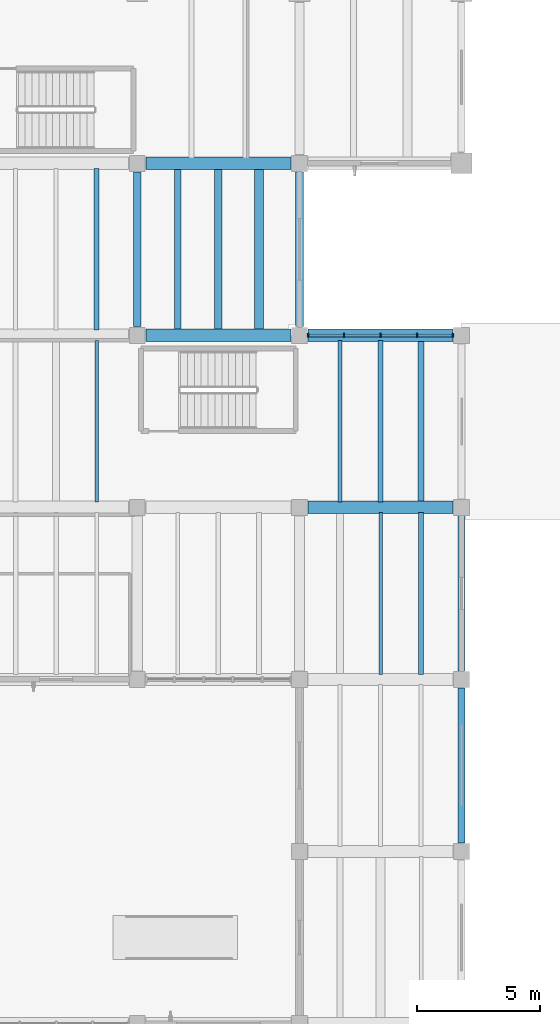
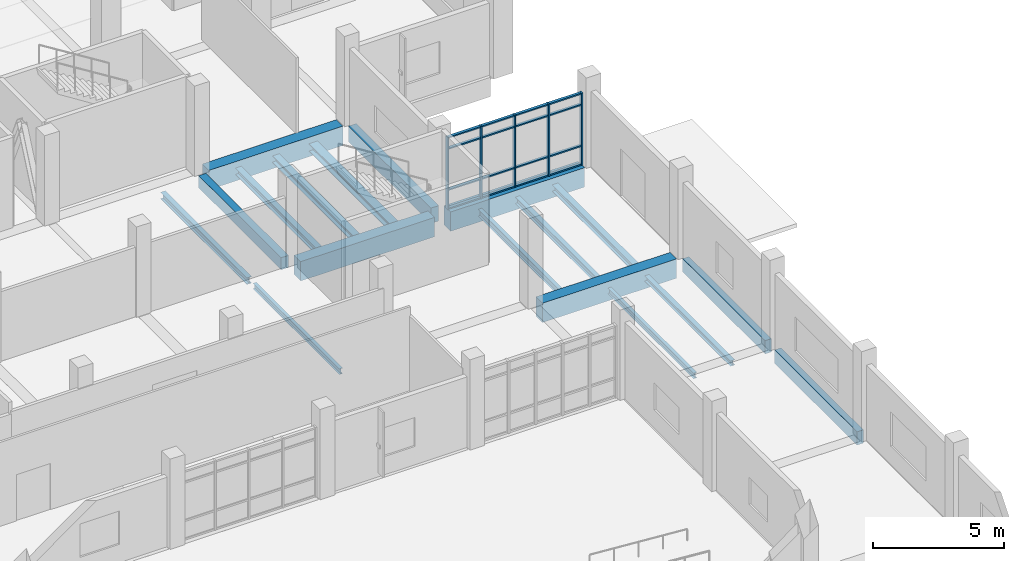
# One storey, part 27 of 69: 21 members, 18 beams, 1 element without a shape of its own.
"""IFC4 building model written with IfcOpenShell, lengths in metres."""

from ifc_helpers import new_model, si_unit, direction, frame, origin, origin_2d, place, context, subcontext, project, spatial, rectangle, i_section, extrude, material, material_profile, profile_set, type_object, element, aggregate, save


model = new_model("IFC4")

# Units and contexts
model_context = context("Model", 3, precision=1e-05, world=origin(), true_north=direction((0.0, 1.0)))
body_context = subcontext(model_context, "Body", "Model", "MODEL_VIEW")
ifc_project = project(units=[si_unit("LENGTHUNIT", "METRE"), si_unit("AREAUNIT", "SQUARE_METRE"), si_unit("VOLUMEUNIT", "CUBIC_METRE"), si_unit("PLANEANGLEUNIT", "RADIAN"), si_unit("MASSUNIT", "GRAM", prefix="KILO")], contexts=[model_context])

# Site, building, storey
site_placement = place(None, origin())
site = spatial("IfcSite", under=ifc_project, at=site_placement, CompositionType="ELEMENT")
building_placement = place(site_placement, origin())
building = spatial("IfcBuilding", under=site, at=building_placement, Name="Ciguamira Faculty of Natural Sciences", CompositionType="ELEMENT")
storey_placement = place(building_placement, origin())
storey = spatial("IfcBuildingStorey", under=building, at=storey_placement, Name="L00", CompositionType="ELEMENT", Elevation=0.0)

# Curtain wall, members
ifc_material_1 = material(Name="Anodized aluminium curtain wall", Category="aluminium")
curtain_wall_type = type_object("IfcCurtainWallType", Name="CurtainWall_CW-04", PredefinedType="USERDEFINED", material=ifc_material_1)
curtain_wall_placement = place(storey_placement, origin())
curtain_wall = element("IfcCurtainWall", 1, at=curtain_wall_placement, inside=storey, type_object=curtain_wall_type, Name="L00 unitised curtain wall 0016", ObjectType="UNITISED CURTAIN WALL", PredefinedType="USERDEFINED")
ifc_material_2 = material(Name="Anodized aluminium mullion", Category="aluminium")
ifc_material_profile_1 = material_profile(ifc_material_2, rectangle(XDim=0.06005859375, YDim=0.159912109375, at=origin_2d()), Name="ALU-MUL-60X160")
ifc_profile_set_1 = profile_set([ifc_material_profile_1], Name="Anodized aluminium mullion")
member_type_1 = type_object("IfcMemberType", Name="CWMullion_CWM-01", PredefinedType="MULLION", material=ifc_profile_set_1)
member_1_placement = place(storey_placement, frame((110.455078125, 87.0, 0.0), z_axis=(0.0, 0.0, 1.0), x_axis=(1.0, 0.0, 0.0)))
member_1 = element("IfcMember", 2, at=member_1_placement, type_object=member_type_1, Name="CW-04 mullion 1", PredefinedType="MULLION", context=body_context, shape_type="SweptSolid", body=[
    extrude(rectangle(XDim=0.06005859375, YDim=0.159912109375, at=origin_2d()), origin(), (0.0, 0.0, 1.0), 3.364990234375),
])
member_2_placement = place(storey_placement, frame((111.91259765625, 87.0, 0.0), z_axis=(0.0, 0.0, 1.0), x_axis=(1.0, 0.0, 0.0)))
member_2 = element("IfcMember", 3, at=member_2_placement, type_object=member_type_1, Name="CW-04 mullion 2", PredefinedType="MULLION", context=body_context, shape_type="SweptSolid", body=[
    extrude(rectangle(XDim=0.06005859375, YDim=0.159912109375, at=origin_2d()), origin(), (0.0, 0.0, 1.0), 3.364990234375),
])
member_3_placement = place(storey_placement, frame((113.39990234375, 87.0, 0.0), z_axis=(0.0, 0.0, 1.0), x_axis=(1.0, 0.0, 0.0)))
member_3 = element("IfcMember", 4, at=member_3_placement, type_object=member_type_1, Name="CW-04 mullion 3", PredefinedType="MULLION", context=body_context, shape_type="SweptSolid", body=[
    extrude(rectangle(XDim=0.06005859375, YDim=0.159912109375, at=origin_2d()), origin(), (0.0, 0.0, 1.0), 3.364990234375),
])
member_4_placement = place(storey_placement, frame((114.887451171875, 87.0, 0.0), z_axis=(0.0, 0.0, 1.0), x_axis=(1.0, 0.0, 0.0)))
member_4 = element("IfcMember", 5, at=member_4_placement, type_object=member_type_1, Name="CW-04 mullion 4", PredefinedType="MULLION", context=body_context, shape_type="SweptSolid", body=[
    extrude(rectangle(XDim=0.06005859375, YDim=0.159912109375, at=origin_2d()), origin(), (0.0, 0.0, 1.0), 3.364990234375),
])
member_5_placement = place(storey_placement, frame((116.344970703125, 87.0, 0.0), z_axis=(0.0, 0.0, 1.0), x_axis=(1.0, 0.0, 0.0)))
member_5 = element("IfcMember", 6, at=member_5_placement, type_object=member_type_1, Name="CW-04 mullion 5", PredefinedType="MULLION", context=body_context, shape_type="SweptSolid", body=[
    extrude(rectangle(XDim=0.06005859375, YDim=0.159912109375, at=origin_2d()), origin(), (0.0, 0.0, 1.0), 3.364990234375),
])
ifc_material_3 = material(Name="Anodized aluminium transom", Category="aluminium")
ifc_material_profile_2 = material_profile(ifc_material_3, rectangle(XDim=0.06005859375, YDim=0.1201171875, at=origin_2d()), Name="ALU-TRN-60X120")
ifc_profile_set_2 = profile_set([ifc_material_profile_2], Name="Anodized aluminium transom")
member_type_2 = type_object("IfcMemberType", Name="CWTransom_CWT-01", PredefinedType="USERDEFINED", material=ifc_profile_set_2)
member_6_placement = place(storey_placement, frame((110.485107421875, 87.0, 0.030029296875), z_axis=(1.0, 0.0, 0.0), x_axis=(0.0, 0.0, 1.0)))
member_6 = element("IfcMember", 7, at=member_6_placement, type_object=member_type_2, Name="CW-04 transom 1.1", ObjectType="TRANSOM", PredefinedType="USERDEFINED", context=body_context, shape_type="SweptSolid", body=[
    extrude(rectangle(XDim=0.06005859375, YDim=0.1201171875, at=origin_2d()), origin(), (0.0, 0.0, 1.0), 1.3974609375),
])
member_7_placement = place(storey_placement, frame((110.485107421875, 87.0, 0.89990234375), z_axis=(1.0, 0.0, 0.0), x_axis=(0.0, 0.0, 1.0)))
member_7 = element("IfcMember", 8, at=member_7_placement, type_object=member_type_2, Name="CW-04 transom 1.2", ObjectType="TRANSOM", PredefinedType="USERDEFINED", context=body_context, shape_type="SweptSolid", body=[
    extrude(rectangle(XDim=0.06005859375, YDim=0.1201171875, at=origin_2d()), origin(), (0.0, 0.0, 1.0), 1.3974609375),
])
member_8_placement = place(storey_placement, frame((110.485107421875, 87.0, 2.81494140625), z_axis=(1.0, 0.0, 0.0), x_axis=(0.0, 0.0, 1.0)))
member_8 = element("IfcMember", 9, at=member_8_placement, type_object=member_type_2, Name="CW-04 transom 1.3", ObjectType="TRANSOM", PredefinedType="USERDEFINED", context=body_context, shape_type="SweptSolid", body=[
    extrude(rectangle(XDim=0.06005859375, YDim=0.1201171875, at=origin_2d()), origin(), (0.0, 0.0, 1.0), 1.3974609375),
])
member_9_placement = place(storey_placement, frame((110.485107421875, 87.0, 3.3349609375), z_axis=(1.0, 0.0, 0.0), x_axis=(0.0, 0.0, 1.0)))
member_9 = element("IfcMember", 10, at=member_9_placement, type_object=member_type_2, Name="CW-04 transom 1.4", ObjectType="TRANSOM", PredefinedType="USERDEFINED", context=body_context, shape_type="SweptSolid", body=[
    extrude(rectangle(XDim=0.06005859375, YDim=0.1201171875, at=origin_2d()), origin(), (0.0, 0.0, 1.0), 1.3974609375),
])
member_10_placement = place(storey_placement, frame((111.9423828125, 87.0, 0.030029296875), z_axis=(1.0, 0.0, 0.0), x_axis=(0.0, 0.0, 1.0)))
member_10 = element("IfcMember", 11, at=member_10_placement, type_object=member_type_2, Name="CW-04 transom 2.1", ObjectType="TRANSOM", PredefinedType="USERDEFINED", context=body_context, shape_type="SweptSolid", body=[
    extrude(rectangle(XDim=0.06005859375, YDim=0.1201171875, at=origin_2d()), origin(), (0.0, 0.0, 1.0), 1.427734375),
])
member_11_placement = place(storey_placement, frame((111.9423828125, 87.0, 0.89990234375), z_axis=(1.0, 0.0, 0.0), x_axis=(0.0, 0.0, 1.0)))
member_11 = element("IfcMember", 12, at=member_11_placement, type_object=member_type_2, Name="CW-04 transom 2.2", ObjectType="TRANSOM", PredefinedType="USERDEFINED", context=body_context, shape_type="SweptSolid", body=[
    extrude(rectangle(XDim=0.06005859375, YDim=0.1201171875, at=origin_2d()), origin(), (0.0, 0.0, 1.0), 1.427734375),
])
member_12_placement = place(storey_placement, frame((111.9423828125, 87.0, 2.81494140625), z_axis=(1.0, 0.0, 0.0), x_axis=(0.0, 0.0, 1.0)))
member_12 = element("IfcMember", 13, at=member_12_placement, type_object=member_type_2, Name="CW-04 transom 2.3", ObjectType="TRANSOM", PredefinedType="USERDEFINED", context=body_context, shape_type="SweptSolid", body=[
    extrude(rectangle(XDim=0.06005859375, YDim=0.1201171875, at=origin_2d()), origin(), (0.0, 0.0, 1.0), 1.427734375),
])
member_13_placement = place(storey_placement, frame((111.9423828125, 87.0, 3.3349609375), z_axis=(1.0, 0.0, 0.0), x_axis=(0.0, 0.0, 1.0)))
member_13 = element("IfcMember", 14, at=member_13_placement, type_object=member_type_2, Name="CW-04 transom 2.4", ObjectType="TRANSOM", PredefinedType="USERDEFINED", context=body_context, shape_type="SweptSolid", body=[
    extrude(rectangle(XDim=0.06005859375, YDim=0.1201171875, at=origin_2d()), origin(), (0.0, 0.0, 1.0), 1.427734375),
])
member_14_placement = place(storey_placement, frame((113.429931640625, 87.0, 0.030029296875), z_axis=(1.0, 0.0, 0.0), x_axis=(0.0, 0.0, 1.0)))
member_14 = element("IfcMember", 15, at=member_14_placement, type_object=member_type_2, Name="CW-04 transom 3.1", ObjectType="TRANSOM", PredefinedType="USERDEFINED", context=body_context, shape_type="SweptSolid", body=[
    extrude(rectangle(XDim=0.06005859375, YDim=0.1201171875, at=origin_2d()), origin(), (0.0, 0.0, 1.0), 1.427490234375),
])
member_15_placement = place(storey_placement, frame((113.429931640625, 87.0, 0.89990234375), z_axis=(1.0, 0.0, 0.0), x_axis=(0.0, 0.0, 1.0)))
member_15 = element("IfcMember", 16, at=member_15_placement, type_object=member_type_2, Name="CW-04 transom 3.2", ObjectType="TRANSOM", PredefinedType="USERDEFINED", context=body_context, shape_type="SweptSolid", body=[
    extrude(rectangle(XDim=0.06005859375, YDim=0.1201171875, at=origin_2d()), origin(), (0.0, 0.0, 1.0), 1.427490234375),
])
member_16_placement = place(storey_placement, frame((113.429931640625, 87.0, 2.81494140625), z_axis=(1.0, 0.0, 0.0), x_axis=(0.0, 0.0, 1.0)))
member_16 = element("IfcMember", 17, at=member_16_placement, type_object=member_type_2, Name="CW-04 transom 3.3", ObjectType="TRANSOM", PredefinedType="USERDEFINED", context=body_context, shape_type="SweptSolid", body=[
    extrude(rectangle(XDim=0.06005859375, YDim=0.1201171875, at=origin_2d()), origin(), (0.0, 0.0, 1.0), 1.427490234375),
])
member_17_placement = place(storey_placement, frame((113.429931640625, 87.0, 3.3349609375), z_axis=(1.0, 0.0, 0.0), x_axis=(0.0, 0.0, 1.0)))
member_17 = element("IfcMember", 18, at=member_17_placement, type_object=member_type_2, Name="CW-04 transom 3.4", ObjectType="TRANSOM", PredefinedType="USERDEFINED", context=body_context, shape_type="SweptSolid", body=[
    extrude(rectangle(XDim=0.06005859375, YDim=0.1201171875, at=origin_2d()), origin(), (0.0, 0.0, 1.0), 1.427490234375),
])
member_18_placement = place(storey_placement, frame((114.91748046875, 87.0, 0.030029296875), z_axis=(1.0, 0.0, 0.0), x_axis=(0.0, 0.0, 1.0)))
member_18 = element("IfcMember", 19, at=member_18_placement, type_object=member_type_2, Name="CW-04 transom 4.1", ObjectType="TRANSOM", PredefinedType="USERDEFINED", context=body_context, shape_type="SweptSolid", body=[
    extrude(rectangle(XDim=0.06005859375, YDim=0.1201171875, at=origin_2d()), origin(), (0.0, 0.0, 1.0), 1.3974609375),
])
member_19_placement = place(storey_placement, frame((114.91748046875, 87.0, 0.89990234375), z_axis=(1.0, 0.0, 0.0), x_axis=(0.0, 0.0, 1.0)))
member_19 = element("IfcMember", 20, at=member_19_placement, type_object=member_type_2, Name="CW-04 transom 4.2", ObjectType="TRANSOM", PredefinedType="USERDEFINED", context=body_context, shape_type="SweptSolid", body=[
    extrude(rectangle(XDim=0.06005859375, YDim=0.1201171875, at=origin_2d()), origin(), (0.0, 0.0, 1.0), 1.3974609375),
])
member_20_placement = place(storey_placement, frame((114.91748046875, 87.0, 2.81494140625), z_axis=(1.0, 0.0, 0.0), x_axis=(0.0, 0.0, 1.0)))
member_20 = element("IfcMember", 21, at=member_20_placement, type_object=member_type_2, Name="CW-04 transom 4.3", ObjectType="TRANSOM", PredefinedType="USERDEFINED", context=body_context, shape_type="SweptSolid", body=[
    extrude(rectangle(XDim=0.06005859375, YDim=0.1201171875, at=origin_2d()), origin(), (0.0, 0.0, 1.0), 1.3974609375),
])
member_21_placement = place(storey_placement, frame((114.91748046875, 87.0, 3.3349609375), z_axis=(1.0, 0.0, 0.0), x_axis=(0.0, 0.0, 1.0)))
member_21 = element("IfcMember", 22, at=member_21_placement, type_object=member_type_2, Name="CW-04 transom 4.4", ObjectType="TRANSOM", PredefinedType="USERDEFINED", context=body_context, shape_type="SweptSolid", body=[
    extrude(rectangle(XDim=0.06005859375, YDim=0.1201171875, at=origin_2d()), origin(), (0.0, 0.0, 1.0), 1.3974609375),
])
aggregate(curtain_wall, [member_1, member_2, member_3, member_4, member_5, member_6, member_7, member_8, member_9, member_10, member_11, member_12, member_13, member_14, member_15, member_16, member_17, member_18, member_19, member_20, member_21])

# Beams
ifc_material_4 = material(Name="Concrete C40/50", Category="concrete")
ifc_material_profile_3 = material_profile(ifc_material_4, rectangle(XDim=0.5, YDim=0.89990234375, at=origin_2d()), Name="RC-BM-500X900")
ifc_profile_set_3 = profile_set([ifc_material_profile_3], Name="Concrete C40/50")
beam_type_1 = type_object("IfcBeamType", Name="RCBeam_BG-03_RC-BM-500X900", PredefinedType="BEAM", material=ifc_profile_set_3)
beam_1_placement = place(storey_placement, frame((110.449951171875, 80.0, -0.449951171875), z_axis=(1.0, 0.0, 0.0), x_axis=(0.0, 1.0, 0.0)))
element("IfcBeam", 23, at=beam_1_placement, inside=storey, type_object=beam_type_1, Name="L00 RC girder EW-0146", PredefinedType="BEAM", context=body_context, shape_type="SweptSolid", body=[
    extrude(rectangle(XDim=0.5, YDim=0.89990234375, at=origin_2d()), origin(), (0.0, 0.0, 1.0), 5.900146484375),
])
beam_2_placement = place(storey_placement, frame((103.85009765625, 87.0, -0.449951171875), z_axis=(1.0, 0.0, 0.0), x_axis=(0.0, 1.0, 0.0)))
element("IfcBeam", 24, at=beam_2_placement, inside=storey, type_object=beam_type_1, Name="L00 RC girder EW-0154", PredefinedType="BEAM", context=body_context, shape_type="SweptSolid", body=[
    extrude(rectangle(XDim=0.5, YDim=0.89990234375, at=origin_2d()), origin(), (0.0, 0.0, 1.0), 5.89990234375),
])
beam_3_placement = place(storey_placement, frame((110.449951171875, 87.0, -0.449951171875), z_axis=(1.0, 0.0, 0.0), x_axis=(0.0, 1.0, 0.0)))
element("IfcBeam", 25, at=beam_3_placement, inside=storey, type_object=beam_type_1, Name="L00 RC girder EW-0155", PredefinedType="BEAM", context=body_context, shape_type="SweptSolid", body=[
    extrude(rectangle(XDim=0.5, YDim=0.89990234375, at=origin_2d()), origin(), (0.0, 0.0, 1.0), 5.900146484375),
])
beam_4_placement = place(storey_placement, frame((103.85009765625, 94.0, -0.449951171875), z_axis=(1.0, 0.0, 0.0), x_axis=(0.0, 1.0, 0.0)))
element("IfcBeam", 26, at=beam_4_placement, inside=storey, type_object=beam_type_1, Name="L00 RC girder EW-0163", PredefinedType="BEAM", context=body_context, shape_type="SweptSolid", body=[
    extrude(rectangle(XDim=0.5, YDim=0.89990234375, at=origin_2d()), origin(), (0.0, 0.0, 1.0), 5.89990234375),
])
ifc_material_profile_4 = material_profile(ifc_material_4, rectangle(XDim=0.320068359375, YDim=0.56005859375, at=origin_2d()), Name="RC-BM-320X560")
ifc_profile_set_4 = profile_set([ifc_material_profile_4], Name="Concrete C40/50")
beam_type_2 = type_object("IfcBeamType", Name="RCBeam_BG-12_RC-BM-320X560", PredefinedType="BEAM", material=ifc_profile_set_4)
beam_5_placement = place(storey_placement, frame((103.5, 87.35009765625, -0.280029296875), z_axis=(0.0, 1.0, 0.0), x_axis=(-1.0, 0.0, 0.0)))
element("IfcBeam", 27, at=beam_5_placement, inside=storey, type_object=beam_type_2, Name="L00 girder NS-0308", PredefinedType="BEAM", context=body_context, shape_type="SweptSolid", body=[
    extrude(rectangle(XDim=0.320068359375, YDim=0.56005859375, at=origin_2d()), origin(), (0.0, 0.0, 1.0), 6.2998046875),
])
ifc_material_5 = material(Name="Precast concrete C40/50", Category="concrete")
ifc_material_profile_5 = material_profile(ifc_material_5, rectangle(XDim=0.280029296875, YDim=0.6201171875, at=origin_2d()), Name="RC-SP-280X620")
ifc_profile_set_5 = profile_set([ifc_material_profile_5], Name="Precast concrete C40/50")
beam_type_3 = type_object("IfcBeamType", Name="RCBeam_SP-01_RC-SP-280X620", PredefinedType="SPANDREL", material=ifc_profile_set_5)
for number, where, z_axis, x_axis, name in (
    (28, (116.699951171875, 66.35009765625, -0.31005859375), (0.0, 1.0, 0.0), (-1.0, 0.0, 0.0), "L00 girder NS-0332"),
    (29, (116.699951171875, 73.35009765625, -0.31005859375), (0.0, 1.0, 0.0), (-1.0, 0.0, 0.0), "L00 girder NS-0333"),
):
    element("IfcBeam", number, at=place(storey_placement, frame(where, z_axis=z_axis, x_axis=x_axis)), inside=storey, type_object=beam_type_3, Name=name, PredefinedType="SPANDREL", context=body_context, shape_type="SweptSolid", body=[
        extrude(rectangle(XDim=0.280029296875, YDim=0.6201171875, at=origin_2d()), origin(), (0.0, 0.0, 1.0), 6.2998046875),
    ])
ifc_material_profile_6 = material_profile(ifc_material_5, rectangle(XDim=0.340087890625, YDim=0.719970703125, at=origin_2d()), Name="RC-SP-340X720")
ifc_profile_set_6 = profile_set([ifc_material_profile_6], Name="Precast concrete C40/50")
beam_type_4 = type_object("IfcBeamType", Name="RCBeam_SP-03_RC-SP-340X720", PredefinedType="SPANDREL", material=ifc_profile_set_6)
beam_6_placement = place(storey_placement, frame((110.10009765625, 87.35009765625, -0.360107421875), z_axis=(0.0, 1.0, 0.0), x_axis=(-1.0, 0.0, 0.0)))
element("IfcBeam", 30, at=beam_6_placement, inside=storey, type_object=beam_type_4, Name="L00 girder NS-0321", PredefinedType="SPANDREL", context=body_context, shape_type="SweptSolid", body=[
    extrude(rectangle(XDim=0.340087890625, YDim=0.719970703125, at=origin_2d()), origin(), (0.0, 0.0, 1.0), 6.2998046875),
])
ifc_material_6 = material(Name="Steel ASTM A992 Grade 50", Category="steel")
ifc_material_profile_7 = material_profile(ifc_material_6, i_section(OverallWidth=0.14599609375, OverallDepth=0.259033203125, WebThickness=0.006103515625, FlangeThickness=0.009033203125, at=origin_2d()), Name="W10X22")
ifc_profile_set_7 = profile_set([ifc_material_profile_7], Name="Steel ASTM A992 Grade 50")
beam_type_5 = type_object("IfcBeamType", Name="SteelJoist_SJ-01_W10X22", PredefinedType="JOIST", material=ifc_profile_set_7)
for number, where, z_axis, x_axis, name in (
    (31, (101.85009765625, 80.2099609375, -0.429443359375), (0.0, 1.0, 0.0), (-1.0, 0.0, 0.0), "L00 composite steel joist 00240"),
    (32, (113.39990234375, 73.2099609375, -0.429443359375), (0.0, 1.0, 0.0), (-1.0, 0.0, 0.0), "L00 composite steel joist 00294"),
):
    element("IfcBeam", number, at=place(storey_placement, frame(where, z_axis=z_axis, x_axis=x_axis)), inside=storey, type_object=beam_type_5, Name=name, PredefinedType="JOIST", context=body_context, shape_type="SweptSolid", body=[
        extrude(i_section(OverallWidth=0.14599609375, OverallDepth=0.259033203125, WebThickness=0.006103515625, FlangeThickness=0.009033203125, at=origin_2d()), origin(), (0.0, 0.0, 1.0), 6.580078125),
    ])
ifc_material_profile_8 = material_profile(ifc_material_6, i_section(OverallWidth=0.2021484375, OverallDepth=0.2470703125, WebThickness=0.00732421875, FlangeThickness=0.010986328125, at=origin_2d()), Name="W10X33")
ifc_profile_set_8 = profile_set([ifc_material_profile_8], Name="Steel ASTM A992 Grade 50")
beam_type_6 = type_object("IfcBeamType", Name="SteelJoist_SJ-02_W10X33", PredefinedType="JOIST", material=ifc_profile_set_8)
beam_7_placement = place(storey_placement, frame((115.050048828125, 73.2099609375, -0.423583984375), z_axis=(0.0, 1.0, 0.0), x_axis=(-1.0, 0.0, 0.0)))
element("IfcBeam", 33, at=beam_7_placement, inside=storey, type_object=beam_type_6, Name="L00 composite steel joist 00295", PredefinedType="JOIST", context=body_context, shape_type="SweptSolid", body=[
    extrude(i_section(OverallWidth=0.2021484375, OverallDepth=0.2470703125, WebThickness=0.00732421875, FlangeThickness=0.010986328125, at=origin_2d()), origin(), (0.0, 0.0, 1.0), 6.580078125),
])
ifc_material_profile_9 = material_profile(ifc_material_6, i_section(OverallWidth=0.16650390625, OverallDepth=0.3173828125, WebThickness=0.007568359375, FlangeThickness=0.01318359375, at=origin_2d()), Name="W12X35")
ifc_profile_set_9 = profile_set([ifc_material_profile_9], Name="Steel ASTM A992 Grade 50")
beam_type_7 = type_object("IfcBeamType", Name="SteelJoist_SJ-05_W12X35", PredefinedType="JOIST", material=ifc_profile_set_9)
beam_8_placement = place(storey_placement, frame((111.75, 80.2099609375, -0.458740234375), z_axis=(0.0, 1.0, 0.0), x_axis=(-1.0, 0.0, 0.0)))
element("IfcBeam", 34, at=beam_8_placement, inside=storey, type_object=beam_type_7, Name="L00 composite steel joist 00296", PredefinedType="JOIST", context=body_context, shape_type="SweptSolid", body=[
    extrude(i_section(OverallWidth=0.16650390625, OverallDepth=0.3173828125, WebThickness=0.007568359375, FlangeThickness=0.01318359375, at=origin_2d()), origin(), (0.0, 0.0, 1.0), 6.580078125),
])
ifc_material_profile_10 = material_profile(ifc_material_6, i_section(OverallWidth=0.20458984375, OverallDepth=0.307373046875, WebThickness=0.008544921875, FlangeThickness=0.0146484375, at=origin_2d()), Name="W12X45")
ifc_profile_set_10 = profile_set([ifc_material_profile_10], Name="Steel ASTM A992 Grade 50")
beam_type_8 = type_object("IfcBeamType", Name="SteelJoist_SJ-06_W12X45", PredefinedType="JOIST", material=ifc_profile_set_10)
for number, where, z_axis, x_axis, name in (
    (35, (101.85009765625, 87.2099609375, -0.45361328125), (0.0, 1.0, 0.0), (-1.0, 0.0, 0.0), "L00 composite steel joist 00243"),
    (36, (113.39990234375, 80.2099609375, -0.45361328125), (0.0, 1.0, 0.0), (-1.0, 0.0, 0.0), "L00 composite steel joist 00297"),
):
    element("IfcBeam", number, at=place(storey_placement, frame(where, z_axis=z_axis, x_axis=x_axis)), inside=storey, type_object=beam_type_8, Name=name, PredefinedType="JOIST", context=body_context, shape_type="SweptSolid", body=[
        extrude(i_section(OverallWidth=0.20458984375, OverallDepth=0.307373046875, WebThickness=0.008544921875, FlangeThickness=0.0146484375, at=origin_2d()), origin(), (0.0, 0.0, 1.0), 6.580078125),
    ])
ifc_material_profile_11 = material_profile(ifc_material_6, i_section(OverallWidth=0.25390625, OverallDepth=0.307373046875, WebThickness=0.0087890625, FlangeThickness=0.0146484375, at=origin_2d()), Name="W12X53")
ifc_profile_set_11 = profile_set([ifc_material_profile_11], Name="Steel ASTM A992 Grade 50")
beam_type_9 = type_object("IfcBeamType", Name="SteelJoist_SJ-07_W12X53", PredefinedType="JOIST", material=ifc_profile_set_11)
for number, where, z_axis, x_axis, name in (
    (37, (105.14990234375, 87.2099609375, -0.45361328125), (0.0, 1.0, 0.0), (-1.0, 0.0, 0.0), "L00 composite steel joist 00266"),
    (38, (115.050048828125, 80.2099609375, -0.45361328125), (0.0, 1.0, 0.0), (-1.0, 0.0, 0.0), "L00 composite steel joist 00298"),
):
    element("IfcBeam", number, at=place(storey_placement, frame(where, z_axis=z_axis, x_axis=x_axis)), inside=storey, type_object=beam_type_9, Name=name, PredefinedType="JOIST", context=body_context, shape_type="SweptSolid", body=[
        extrude(i_section(OverallWidth=0.25390625, OverallDepth=0.307373046875, WebThickness=0.0087890625, FlangeThickness=0.0146484375, at=origin_2d()), origin(), (0.0, 0.0, 1.0), 6.580078125),
    ])
ifc_material_profile_12 = material_profile(ifc_material_6, i_section(OverallWidth=0.3046875, OverallDepth=0.307373046875, WebThickness=0.010009765625, FlangeThickness=0.015380859375, at=origin_2d()), Name="W12X65")
ifc_profile_set_12 = profile_set([ifc_material_profile_12], Name="Steel ASTM A992 Grade 50")
beam_type_10 = type_object("IfcBeamType", Name="SteelJoist_SJ-08_W12X65", PredefinedType="JOIST", material=ifc_profile_set_12)
beam_9_placement = place(storey_placement, frame((106.800048828125, 87.2099609375, -0.45361328125), z_axis=(0.0, 1.0, 0.0), x_axis=(-1.0, 0.0, 0.0)))
element("IfcBeam", 39, at=beam_9_placement, inside=storey, type_object=beam_type_10, Name="L00 composite steel joist 00267", PredefinedType="JOIST", context=body_context, shape_type="SweptSolid", body=[
    extrude(i_section(OverallWidth=0.3046875, OverallDepth=0.307373046875, WebThickness=0.010009765625, FlangeThickness=0.015380859375, at=origin_2d()), origin(), (0.0, 0.0, 1.0), 6.580078125),
])
ifc_material_profile_13 = material_profile(ifc_material_6, i_section(OverallWidth=0.370849609375, OverallDepth=0.36328125, WebThickness=0.013427734375, FlangeThickness=0.021728515625, at=origin_2d()), Name="W14X109")
ifc_profile_set_13 = profile_set([ifc_material_profile_13], Name="Steel ASTM A992 Grade 50")
beam_type_11 = type_object("IfcBeamType", Name="SteelJoist_SJ-09_W14X109", PredefinedType="JOIST", material=ifc_profile_set_13)
beam_10_placement = place(storey_placement, frame((108.449951171875, 87.2099609375, -0.481689453125), z_axis=(0.0, 1.0, 0.0), x_axis=(-1.0, 0.0, 0.0)))
element("IfcBeam", 40, at=beam_10_placement, inside=storey, type_object=beam_type_11, Name="L00 composite steel joist 00268", PredefinedType="JOIST", context=body_context, shape_type="SweptSolid", body=[
    extrude(i_section(OverallWidth=0.370849609375, OverallDepth=0.36328125, WebThickness=0.013427734375, FlangeThickness=0.021728515625, at=origin_2d()), origin(), (0.0, 0.0, 1.0), 6.580078125),
])

save(model, "model.ifc")
